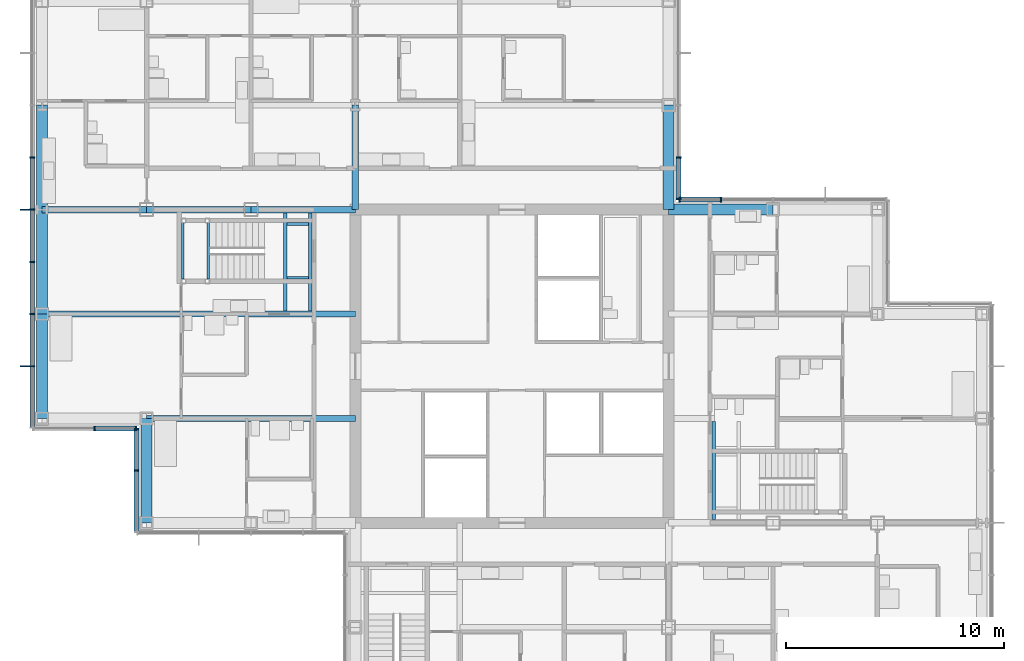
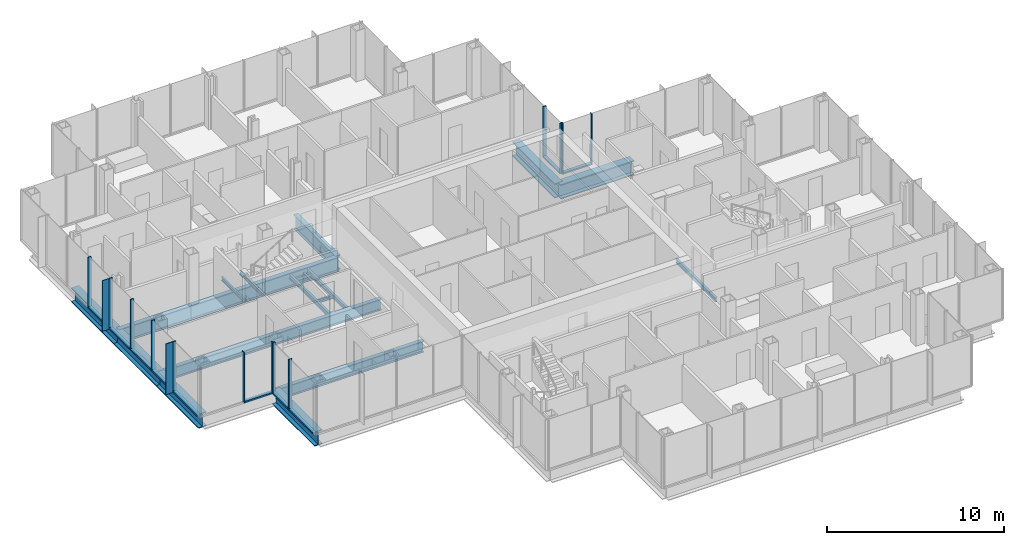
# One storey, part 7 of 20: 25 members, 19 beams, 5 elements without a shape of their own.
"""IFC4 building model written with IfcOpenShell, lengths in metres."""

import ifcopenshell
import ifcopenshell.guid

model = None  # the IFC model being written
_history = None  # IfcOwnerHistory: only IFC2X3 demands one
_inside = {}  # id of a spatial element -> (the spatial element, [elements in it])
_under = {}  # id of a project, library or spatial element -> (it, [spatial elements below it])
_declared = {}  # id of a project -> (the project, [libraries it declares])
_typed = {}  # id of a type object -> (the type object, [elements of that type])
_made_of = {}  # id of a material, layer set ... -> (it, [elements and type objects made of it])


def new_model(schema):
    """Start an empty IFC model of exactly this schema.

    Asked for "IFC4X3", IfcOpenShell would pick the latest addendum, in which some entities
    have other attributes; the version numbers below select the first issue.
    IFC2X3 requires an IfcOwnerHistory on every rooted entity: one is made here for all.
    """
    global model, _history
    if schema == "IFC4X3":
        model = ifcopenshell.file(schema_version=(4, 3, 0, 0))
    else:
        model = ifcopenshell.file(schema=schema)
    _inside.clear()
    _under.clear()
    _declared.clear()
    _typed.clear()
    _made_of.clear()
    _history = None
    if model.schema == "IFC2X3":
        org = make("IfcOrganization", Name="unknown")
        user = make(
            "IfcPersonAndOrganization",
            ThePerson=make("IfcPerson", FamilyName="unknown"),
            TheOrganization=org,
        )
        app = make(
            "IfcApplication",
            ApplicationDeveloper=org,
            Version="unknown",
            ApplicationFullName="unknown",
            ApplicationIdentifier="unknown",
        )
        _history = make(
            "IfcOwnerHistory",
            OwningUser=user,
            OwningApplication=app,
            ChangeAction="ADDED",
            CreationDate=0,
        )
    return model


def make(cls, **values):
    """One entity of the class cls with the attributes given. An attribute that is None is left unset."""
    return model.create_entity(
        cls, **{name: value for name, value in values.items() if value is not None}
    )


def rooted(cls, **values):
    """An entity with a GlobalId (a new one), such as an element, a storey or a relation."""
    return make(cls, GlobalId=ifcopenshell.guid.new(), OwnerHistory=_history, **values)


def si_unit(unit_type, name, prefix=None):
    """IfcSIUnit, for example si_unit("LENGTHUNIT", "METRE", prefix="MILLI")."""
    return make("IfcSIUnit", UnitType=unit_type, Prefix=prefix, Name=name)


def assignment(units):
    """IfcUnitAssignment: the units of a project."""
    return None if units is None else make("IfcUnitAssignment", Units=units)


def point(xyz):
    """IfcCartesianPoint."""
    return None if xyz is None else make("IfcCartesianPoint", Coordinates=xyz)


def direction(xyz):
    """IfcDirection."""
    return None if xyz is None else make("IfcDirection", DirectionRatios=xyz)


def frame(location, z_axis=None, x_axis=None):
    """IfcAxis2Placement3D, a coordinate frame: its origin and axes. An axis left out is left unset."""
    return make(
        "IfcAxis2Placement3D",
        Location=point(location),
        Axis=direction(z_axis),
        RefDirection=direction(x_axis),
    )


def frame_2d(location, x_axis=None):
    """IfcAxis2Placement2D, a coordinate frame in the plane: its origin and x axis."""
    return make(
        "IfcAxis2Placement2D", Location=point(location), RefDirection=direction(x_axis)
    )


def origin():
    """The frame at (0, 0, 0) with its axes left unset."""
    return frame((0.0, 0.0, 0.0))


def origin_2d():
    """The frame at (0, 0) in the plane with its x axis left unset."""
    return frame_2d((0.0, 0.0))


def place(relative_to, where):
    """IfcLocalPlacement: puts the frame where relative to a parent placement (None: the world)."""
    return make(
        "IfcLocalPlacement", PlacementRelTo=relative_to, RelativePlacement=where
    )


def context(
    kind, dimensions, precision=None, world=None, true_north=None, identifier=None
):
    """IfcGeometricRepresentationContext, for example the 3D "Model" context."""
    return make(
        "IfcGeometricRepresentationContext",
        ContextIdentifier=identifier,
        ContextType=kind,
        CoordinateSpaceDimension=dimensions,
        Precision=precision,
        WorldCoordinateSystem=world,
        TrueNorth=true_north,
    )


def subcontext(parent, identifier, kind, view, scale=None):
    """IfcGeometricRepresentationSubContext, for example "Body" below "Model"."""
    return make(
        "IfcGeometricRepresentationSubContext",
        ContextIdentifier=identifier,
        ContextType=kind,
        ParentContext=parent,
        TargetScale=scale,
        TargetView=view,
    )


def project(units=None, contexts=None):
    """IfcProject with its units and contexts."""
    return rooted(
        "IfcProject",
        Name="project",
        RepresentationContexts=contexts,
        UnitsInContext=assignment(units),
    )


def spatial(cls, under=None, at=None, **own):
    """A site, building, storey or space (cls), placed at a placement, below another one or the project."""
    s = rooted(cls, ObjectPlacement=at, **own)
    if under is not None:
        _under.setdefault(under.id(), (under, []))[1].append(s)
    return s


def profile(cls, at=None, kind="AREA", **sizes):
    """A parametric profile (cls). Its sizes go by their IFC names, for example OverallWidth=200.0."""
    return make(cls, ProfileType=kind, Position=at, **sizes)


def rectangle(**sizes):
    """IfcRectangleProfileDef."""
    return profile("IfcRectangleProfileDef", **sizes)


def i_section(**sizes):
    """IfcIShapeProfileDef."""
    return profile("IfcIShapeProfileDef", **sizes)


def extrude(swept, where, along, depth):
    """IfcExtrudedAreaSolid: the profile swept, set in the frame where, extruded along a direction by depth."""
    return make(
        "IfcExtrudedAreaSolid",
        SweptArea=swept,
        Position=where,
        ExtrudedDirection=direction(along),
        Depth=depth,
    )


def shape(context_of_items, identifier, shape_type, items):
    """IfcShapeRepresentation: the items that make up one representation, for example the "Body"."""
    return make(
        "IfcShapeRepresentation",
        ContextOfItems=context_of_items,
        RepresentationIdentifier=identifier,
        RepresentationType=shape_type,
        Items=items,
    )


def material(Name=None, Category=None):
    """IfcMaterial."""
    return make("IfcMaterial", Name=Name, Category=Category)


def material_profile(
    of_material, cross_section, Name=None, Category=None, Priority=None
):
    """IfcMaterialProfile: a cross section and its material."""
    return make(
        "IfcMaterialProfile",
        Name=Name,
        Material=of_material,
        Profile=cross_section,
        Priority=Priority,
        Category=Category,
    )


def profile_set(profiles, Name=None, composite=None):
    """IfcMaterialProfileSet."""
    return make(
        "IfcMaterialProfileSet",
        Name=Name,
        MaterialProfiles=profiles,
        CompositeProfile=composite,
    )


def made_of(thing, what):
    """Note that an element or type object is made of a material, layer set ...; save() writes the relation."""
    if what is not None:
        _made_of.setdefault(what.id(), (what, []))[1].append(thing)
    return thing


def type_object(cls, material=None, **own):
    """A type object (cls), such as IfcWallType, which elements share."""
    return made_of(rooted(cls, **own), material)


def element(
    cls,
    number,
    at=None,
    inside=None,
    cuts=None,
    type_object=None,
    material=None,
    context=None,
    identifier="Body",
    shape_type=None,
    held_by="IfcProductDefinitionShape",
    body=None,
    shapes=None,
    **own,
):
    """One element of the class cls, such as IfcWall. Its Tag is "e" and its number.

    at: its placement. inside: the storey or other place that contains it. cuts: it is an
    opening in that element (IfcRelVoidsElement). A single representation is given by context,
    identifier, shape_type and body (its items); several are given by shapes. held_by: the class
    of the entity that holds the representations. save() writes the other relations.
    """
    e = rooted(cls, Tag="e%d" % number, ObjectPlacement=at, **own)
    if body is not None:
        shapes = [shape(context, identifier, shape_type, body)]
    if shapes is not None:
        e.Representation = make(held_by, Representations=shapes)
    if inside is not None:
        _inside.setdefault(inside.id(), (inside, []))[1].append(e)
    if cuts is not None:
        rooted(
            "IfcRelVoidsElement", RelatingBuildingElement=cuts, RelatedOpeningElement=e
        )
    if type_object is not None:
        _typed.setdefault(type_object.id(), (type_object, []))[1].append(e)
    return made_of(e, material)


def aggregate(whole, parts):
    """IfcRelAggregates: a whole, such as a stair, and the parts it consists of."""
    return rooted("IfcRelAggregates", RelatingObject=whole, RelatedObjects=parts)


def save(model, path):
    """Write the relations noted so far, then the file.

    IfcRelAggregates (storeys below a building ...), IfcRelContainedInSpatialStructure (elements
    in a storey), IfcRelDefinesByType, IfcRelAssociatesMaterial and IfcRelDeclares: one each for
    every whole, place, type object, material and project.
    """
    for whole, parts in _under.values():
        aggregate(whole, parts)
    for where, things in _inside.values():
        rooted(
            "IfcRelContainedInSpatialStructure",
            RelatedElements=things,
            RelatingStructure=where,
        )
    for kind, things in _typed.values():
        rooted("IfcRelDefinesByType", RelatedObjects=things, RelatingType=kind)
    for what, things in _made_of.values():
        rooted("IfcRelAssociatesMaterial", RelatedObjects=things, RelatingMaterial=what)
    for by, libraries in _declared.values():
        rooted("IfcRelDeclares", RelatingContext=by, RelatedDefinitions=libraries)
    model.write(path)


model = new_model("IFC4")

# Units and contexts
model_context = context("Model", 3, precision=1e-05, world=origin(), true_north=direction((0.0, 1.0)))
body_context = subcontext(model_context, "Body", "Model", "MODEL_VIEW")
ifc_project = project(units=[si_unit("LENGTHUNIT", "METRE"), si_unit("AREAUNIT", "SQUARE_METRE"), si_unit("VOLUMEUNIT", "CUBIC_METRE"), si_unit("PLANEANGLEUNIT", "RADIAN"), si_unit("MASSUNIT", "GRAM", prefix="KILO")], contexts=[model_context])

# Site, building, storey
site_placement = place(None, origin())
site = spatial("IfcSite", under=ifc_project, at=site_placement, CompositionType="ELEMENT")
building_placement = place(site_placement, origin())
building = spatial("IfcBuilding", under=site, at=building_placement, Name="Kvirike Care Tower", CompositionType="ELEMENT")
storey_placement = place(building_placement, frame((0.0, 0.0, 112.0)))
storey = spatial("IfcBuildingStorey", under=building, at=storey_placement, Name="L30", CompositionType="ELEMENT", Elevation=112.0)

# Curtain wall, members
ifc_material_1 = material(Name="Anodised aluminium stick system", Category="aluminium")
curtain_wall_type = type_object("IfcCurtainWallType", Name="CW-B STICK CURTAIN WALL", PredefinedType="NOTDEFINED", material=ifc_material_1)
curtain_wall_1_placement = place(storey_placement, origin())
curtain_wall_1 = element("IfcCurtainWall", 1, at=curtain_wall_1_placement, inside=storey, type_object=curtain_wall_type, Name="Curtain wall L30 face 11", PredefinedType="NOTDEFINED")
ifc_material_2 = material(Name="Bronze anodised aluminium fin", Category="aluminium")
ifc_material_profile_1 = material_profile(ifc_material_2, rectangle(XDim=0.050048828125, YDim=0.449951171875, at=origin_2d()), Name="BRONZE FIN 450")
ifc_profile_set_1 = profile_set([ifc_material_profile_1], Name="Bronze anodised aluminium fin")
member_type_1 = type_object("IfcMemberType", Name="BRONZE FIN 450", PredefinedType="USERDEFINED", material=ifc_profile_set_1)
member_1_placement = place(storey_placement, frame((-0.794921875, 43.199951171875, 0.0), z_axis=(0.0, 0.0, 1.0), x_axis=(0.0, -1.0, 0.0)))
member_1 = element("IfcMember", 2, at=member_1_placement, type_object=member_type_1, Name="Bronze fin L30 face 11.5", ObjectType="FIN", PredefinedType="USERDEFINED", context=body_context, shape_type="SweptSolid", body=[
    extrude(rectangle(XDim=0.050048828125, YDim=0.449951171875, at=origin_2d()), origin(), (0.0, 0.0, 1.0), 3.5),
])
member_2_placement = place(storey_placement, frame((-0.794921875, 36.0, 0.0), z_axis=(0.0, 0.0, 1.0), x_axis=(0.0, -1.0, 0.0)))
member_2 = element("IfcMember", 3, at=member_2_placement, type_object=member_type_1, Name="Bronze fin L30 face 11.8", ObjectType="FIN", PredefinedType="USERDEFINED", context=body_context, shape_type="SweptSolid", body=[
    extrude(rectangle(XDim=0.050048828125, YDim=0.449951171875, at=origin_2d()), origin(), (0.0, 0.0, 1.0), 3.5),
])

curtain_wall_2_placement = place(storey_placement, origin())
curtain_wall_2 = element("IfcCurtainWall", 4, at=curtain_wall_2_placement, inside=storey, type_object=curtain_wall_type, Name="Curtain wall L30 face 4", PredefinedType="NOTDEFINED")
ifc_material_3 = material(Name="Bronze anodised aluminium mullion", Category="aluminium")
ifc_material_profile_2 = material_profile(ifc_material_3, rectangle(XDim=0.06494140625, YDim=0.219970703125, at=origin_2d()), Name="CW-B MULLION 65x220")
ifc_profile_set_2 = profile_set([ifc_material_profile_2], Name="Bronze anodised aluminium mullion")
member_type_2 = type_object("IfcMemberType", Name="CW-B MULLION 65x220", PredefinedType="MULLION", material=ifc_profile_set_2)
member_3_placement = place(storey_placement, frame((31.199951171875, 43.659912109375, 0.0), z_axis=(0.0, 0.0, 1.0), x_axis=(-1.0, 0.0, 0.0)))
member_3 = element("IfcMember", 5, at=member_3_placement, type_object=member_type_2, Name="CW-B mullion L30 face 4.4", PredefinedType="MULLION", context=body_context, shape_type="SweptSolid", body=[
    extrude(rectangle(XDim=0.06494140625, YDim=0.219970703125, at=origin_2d()), origin(), (0.0, 0.0, 1.0), 3.5),
])
member_4_placement = place(storey_placement, frame((29.29248046875, 43.659912109375, 0.0), z_axis=(0.0, 0.0, 1.0), x_axis=(-1.0, 0.0, 0.0)))
member_4 = element("IfcMember", 6, at=member_4_placement, type_object=member_type_2, Name="CW-B mullion L30 face 4.5", PredefinedType="MULLION", context=body_context, shape_type="SweptSolid", body=[
    extrude(rectangle(XDim=0.06494140625, YDim=0.219970703125, at=origin_2d()), origin(), (0.0, 0.0, 1.0), 3.5),
])

curtain_wall_3_placement = place(storey_placement, origin())
curtain_wall_3 = element("IfcCurtainWall", 7, at=curtain_wall_3_placement, inside=storey, type_object=curtain_wall_type, Name="Curtain wall L30 face 5", PredefinedType="NOTDEFINED")
member_5_placement = place(storey_placement, frame((29.260009765625, 43.6923828125, 0.0), z_axis=(0.0, 0.0, 1.0), x_axis=(0.0, 1.0, 0.0)))
member_5 = element("IfcMember", 8, at=member_5_placement, type_object=member_type_2, Name="CW-B mullion L30 face 5.1", PredefinedType="MULLION", context=body_context, shape_type="SweptSolid", body=[
    extrude(rectangle(XDim=0.06494140625, YDim=0.219970703125, at=origin_2d()), origin(), (0.0, 0.0, 1.0), 3.5),
])
member_6_placement = place(storey_placement, frame((29.260009765625, 45.60009765625, 0.0), z_axis=(0.0, 0.0, 1.0), x_axis=(0.0, 1.0, 0.0)))
member_6 = element("IfcMember", 9, at=member_6_placement, type_object=member_type_2, Name="CW-B mullion L30 face 5.2", PredefinedType="MULLION", context=body_context, shape_type="SweptSolid", body=[
    extrude(rectangle(XDim=0.06494140625, YDim=0.219970703125, at=origin_2d()), origin(), (0.0, 0.0, 1.0), 3.5),
])

# Member
member_7_placement = place(storey_placement, frame((-0.4599609375, 45.60009765625, 0.0), z_axis=(0.0, 0.0, 1.0), x_axis=(0.0, -1.0, 0.0)))
member_7 = element("IfcMember", 10, at=member_7_placement, type_object=member_type_2, Name="CW-B mullion L30 face 11.4", PredefinedType="MULLION", context=body_context, shape_type="SweptSolid", body=[
    extrude(rectangle(XDim=0.06494140625, YDim=0.219970703125, at=origin_2d()), origin(), (0.0, 0.0, 1.0), 3.5),
])

member_8_placement = place(storey_placement, frame((-0.4599609375, 43.199951171875, 0.0), z_axis=(0.0, 0.0, 1.0), x_axis=(0.0, -1.0, 0.0)))
member_8 = element("IfcMember", 11, at=member_8_placement, type_object=member_type_2, Name="CW-B mullion L30 face 11.5", PredefinedType="MULLION", context=body_context, shape_type="SweptSolid", body=[
    extrude(rectangle(XDim=0.06494140625, YDim=0.219970703125, at=origin_2d()), origin(), (0.0, 0.0, 1.0), 3.5),
])

member_9_placement = place(storey_placement, frame((-0.4599609375, 40.800048828125, 0.0), z_axis=(0.0, 0.0, 1.0), x_axis=(0.0, -1.0, 0.0)))
member_9 = element("IfcMember", 12, at=member_9_placement, type_object=member_type_2, Name="CW-B mullion L30 face 11.6", PredefinedType="MULLION", context=body_context, shape_type="SweptSolid", body=[
    extrude(rectangle(XDim=0.06494140625, YDim=0.219970703125, at=origin_2d()), origin(), (0.0, 0.0, 1.0), 3.5),
])

member_10_placement = place(storey_placement, frame((-0.4599609375, 38.39990234375, 0.0), z_axis=(0.0, 0.0, 1.0), x_axis=(0.0, -1.0, 0.0)))
member_10 = element("IfcMember", 13, at=member_10_placement, type_object=member_type_2, Name="CW-B mullion L30 face 11.7", PredefinedType="MULLION", context=body_context, shape_type="SweptSolid", body=[
    extrude(rectangle(XDim=0.06494140625, YDim=0.219970703125, at=origin_2d()), origin(), (0.0, 0.0, 1.0), 3.5),
])

member_11_placement = place(storey_placement, frame((-0.4599609375, 36.0, 0.0), z_axis=(0.0, 0.0, 1.0), x_axis=(0.0, -1.0, 0.0)))
member_11 = element("IfcMember", 14, at=member_11_placement, type_object=member_type_2, Name="CW-B mullion L30 face 11.8", PredefinedType="MULLION", context=body_context, shape_type="SweptSolid", body=[
    extrude(rectangle(XDim=0.06494140625, YDim=0.219970703125, at=origin_2d()), origin(), (0.0, 0.0, 1.0), 3.5),
])

# Curtain wall, members
curtain_wall_4_placement = place(storey_placement, origin())
curtain_wall_4 = element("IfcCurtainWall", 15, at=curtain_wall_4_placement, inside=storey, type_object=curtain_wall_type, Name="Curtain wall L30 face 12", PredefinedType="NOTDEFINED")
member_12_placement = place(storey_placement, frame((2.39990234375, 33.139892578125, 0.0), z_axis=(0.0, 0.0, 1.0), x_axis=(1.0, 0.0, 0.0)))
member_12 = element("IfcMember", 16, at=member_12_placement, type_object=member_type_2, Name="CW-B mullion L30 face 12.2", PredefinedType="MULLION", context=body_context, shape_type="SweptSolid", body=[
    extrude(rectangle(XDim=0.06494140625, YDim=0.219970703125, at=origin_2d()), origin(), (0.0, 0.0, 1.0), 3.5),
])
member_13_placement = place(storey_placement, frame((4.3076171875, 33.139892578125, 0.0), z_axis=(0.0, 0.0, 1.0), x_axis=(1.0, 0.0, 0.0)))
member_13 = element("IfcMember", 17, at=member_13_placement, type_object=member_type_2, Name="CW-B mullion L30 face 12.3", PredefinedType="MULLION", context=body_context, shape_type="SweptSolid", body=[
    extrude(rectangle(XDim=0.06494140625, YDim=0.219970703125, at=origin_2d()), origin(), (0.0, 0.0, 1.0), 3.5),
])

curtain_wall_5_placement = place(storey_placement, origin())
curtain_wall_5 = element("IfcCurtainWall", 18, at=curtain_wall_5_placement, inside=storey, type_object=curtain_wall_type, Name="Curtain wall L30 face 13", PredefinedType="NOTDEFINED")
member_14_placement = place(storey_placement, frame((4.340087890625, 33.107421875, 0.0), z_axis=(0.0, 0.0, 1.0), x_axis=(0.0, -1.0, 0.0)))
member_14 = element("IfcMember", 19, at=member_14_placement, type_object=member_type_2, Name="CW-B mullion L30 face 13.1", PredefinedType="MULLION", context=body_context, shape_type="SweptSolid", body=[
    extrude(rectangle(XDim=0.06494140625, YDim=0.219970703125, at=origin_2d()), origin(), (0.0, 0.0, 1.0), 3.5),
])
member_15_placement = place(storey_placement, frame((4.340087890625, 31.199951171875, 0.0), z_axis=(0.0, 0.0, 1.0), x_axis=(0.0, -1.0, 0.0)))
member_15 = element("IfcMember", 20, at=member_15_placement, type_object=member_type_2, Name="CW-B mullion L30 face 13.2", PredefinedType="MULLION", context=body_context, shape_type="SweptSolid", body=[
    extrude(rectangle(XDim=0.06494140625, YDim=0.219970703125, at=origin_2d()), origin(), (0.0, 0.0, 1.0), 3.5),
])

# Member
ifc_material_4 = material(Name="Bronze anodised aluminium transom", Category="aluminium")
ifc_material_profile_3 = material_profile(ifc_material_4, rectangle(XDim=0.219970703125, YDim=0.10009765625, at=origin_2d()), Name="CW-B TRANSOM 220x100")
ifc_profile_set_3 = profile_set([ifc_material_profile_3], Name="Bronze anodised aluminium transom")
member_type_3 = type_object("IfcMemberType", Name="CW-B TRANSOM 220x100", PredefinedType="USERDEFINED", material=ifc_profile_set_3)
member_16_placement = place(storey_placement, frame((31.16748046875, 43.659912109375, 0.050048828125), z_axis=(-1.0, 0.0, 0.0), x_axis=(0.0, -1.0, 0.0)))
member_16 = element("IfcMember", 21, at=member_16_placement, type_object=member_type_3, Name="CW-B sill transom L30 face 4.4", ObjectType="TRANSOM", PredefinedType="USERDEFINED", context=body_context, shape_type="SweptSolid", body=[
    extrude(rectangle(XDim=0.219970703125, YDim=0.10009765625, at=origin_2d()), origin(), (0.0, 0.0, 1.0), 1.842529296875),
])

aggregate(curtain_wall_2, [member_3, member_4, member_16])

member_17_placement = place(storey_placement, frame((29.260009765625, 43.72509765625, 0.050048828125), z_axis=(0.0, 1.0, 0.0), x_axis=(-1.0, 0.0, 0.0)))
member_17 = element("IfcMember", 22, at=member_17_placement, type_object=member_type_3, Name="CW-B sill transom L30 face 5.1", ObjectType="TRANSOM", PredefinedType="USERDEFINED", context=body_context, shape_type="SweptSolid", body=[
    extrude(rectangle(XDim=0.219970703125, YDim=0.10009765625, at=origin_2d()), origin(), (0.0, 0.0, 1.0), 1.84228515625),
])

aggregate(curtain_wall_3, [member_5, member_6, member_17])

member_18_placement = place(storey_placement, frame((-0.4599609375, 45.5673828125, 0.050048828125), z_axis=(0.0, -1.0, 0.0), x_axis=(1.0, 0.0, 0.0)))
member_18 = element("IfcMember", 23, at=member_18_placement, type_object=member_type_3, Name="CW-B sill transom L30 face 11.4", ObjectType="TRANSOM", PredefinedType="USERDEFINED", context=body_context, shape_type="SweptSolid", body=[
    extrude(rectangle(XDim=0.219970703125, YDim=0.10009765625, at=origin_2d()), origin(), (0.0, 0.0, 1.0), 2.3349609375),
])

member_19_placement = place(storey_placement, frame((-0.4599609375, 43.16748046875, 0.050048828125), z_axis=(0.0, -1.0, 0.0), x_axis=(1.0, 0.0, 0.0)))
member_19 = element("IfcMember", 24, at=member_19_placement, type_object=member_type_3, Name="CW-B sill transom L30 face 11.5", ObjectType="TRANSOM", PredefinedType="USERDEFINED", context=body_context, shape_type="SweptSolid", body=[
    extrude(rectangle(XDim=0.219970703125, YDim=0.10009765625, at=origin_2d()), origin(), (0.0, 0.0, 1.0), 2.3349609375),
])

member_20_placement = place(storey_placement, frame((-0.4599609375, 40.767578125, 0.050048828125), z_axis=(0.0, -1.0, 0.0), x_axis=(1.0, 0.0, 0.0)))
member_20 = element("IfcMember", 25, at=member_20_placement, type_object=member_type_3, Name="CW-B sill transom L30 face 11.6", ObjectType="TRANSOM", PredefinedType="USERDEFINED", context=body_context, shape_type="SweptSolid", body=[
    extrude(rectangle(XDim=0.219970703125, YDim=0.10009765625, at=origin_2d()), origin(), (0.0, 0.0, 1.0), 2.3349609375),
])

member_21_placement = place(storey_placement, frame((-0.4599609375, 38.367431640625, 0.050048828125), z_axis=(0.0, -1.0, 0.0), x_axis=(1.0, 0.0, 0.0)))
member_21 = element("IfcMember", 26, at=member_21_placement, type_object=member_type_3, Name="CW-B sill transom L30 face 11.7", ObjectType="TRANSOM", PredefinedType="USERDEFINED", context=body_context, shape_type="SweptSolid", body=[
    extrude(rectangle(XDim=0.219970703125, YDim=0.10009765625, at=origin_2d()), origin(), (0.0, 0.0, 1.0), 2.3349609375),
])

member_22_placement = place(storey_placement, frame((-0.4599609375, 35.967529296875, 0.050048828125), z_axis=(0.0, -1.0, 0.0), x_axis=(1.0, 0.0, 0.0)))
member_22 = element("IfcMember", 27, at=member_22_placement, type_object=member_type_3, Name="CW-B sill transom L30 face 11.8", ObjectType="TRANSOM", PredefinedType="USERDEFINED", context=body_context, shape_type="SweptSolid", body=[
    extrude(rectangle(XDim=0.219970703125, YDim=0.10009765625, at=origin_2d()), origin(), (0.0, 0.0, 1.0), 2.762451171875),
])

aggregate(curtain_wall_1, [member_7, member_8, member_1, member_9, member_10, member_11, member_2, member_18, member_19, member_20, member_21, member_22])

member_23_placement = place(storey_placement, frame((2.4326171875, 33.139892578125, 0.050048828125), z_axis=(1.0, 0.0, 0.0), x_axis=(0.0, 1.0, 0.0)))
member_23 = element("IfcMember", 28, at=member_23_placement, type_object=member_type_3, Name="CW-B sill transom L30 face 12.2", ObjectType="TRANSOM", PredefinedType="USERDEFINED", context=body_context, shape_type="SweptSolid", body=[
    extrude(rectangle(XDim=0.219970703125, YDim=0.10009765625, at=origin_2d()), origin(), (0.0, 0.0, 1.0), 1.84228515625),
])

aggregate(curtain_wall_4, [member_12, member_13, member_23])

member_24_placement = place(storey_placement, frame((4.340087890625, 33.074951171875, 0.050048828125), z_axis=(0.0, -1.0, 0.0), x_axis=(1.0, 0.0, 0.0)))
member_24 = element("IfcMember", 29, at=member_24_placement, type_object=member_type_3, Name="CW-B sill transom L30 face 13.1", ObjectType="TRANSOM", PredefinedType="USERDEFINED", context=body_context, shape_type="SweptSolid", body=[
    extrude(rectangle(XDim=0.219970703125, YDim=0.10009765625, at=origin_2d()), origin(), (0.0, 0.0, 1.0), 1.842529296875),
])

member_25_placement = place(storey_placement, frame((4.340087890625, 31.16748046875, 0.050048828125), z_axis=(0.0, -1.0, 0.0), x_axis=(1.0, 0.0, 0.0)))
member_25 = element("IfcMember", 30, at=member_25_placement, type_object=member_type_3, Name="CW-B sill transom L30 face 13.2", ObjectType="TRANSOM", PredefinedType="USERDEFINED", context=body_context, shape_type="SweptSolid", body=[
    extrude(rectangle(XDim=0.219970703125, YDim=0.10009765625, at=origin_2d()), origin(), (0.0, 0.0, 1.0), 2.762451171875),
])

aggregate(curtain_wall_5, [member_14, member_15, member_24, member_25])

# Beams
ifc_material_5 = material(Name="Steel S355", Category="steel")
ifc_material_profile_4 = material_profile(ifc_material_5, i_section(OverallWidth=0.26806640625, OverallDepth=0.77001953125, WebThickness=0.015625, FlangeThickness=0.025390625, FilletRadius=0.01708984375, at=origin_2d()), Name="IPE 750x196")
ifc_profile_set_4 = profile_set([ifc_material_profile_4], Name="Steel S355")
beam_type_1 = type_object("IfcBeamType", Name="FLOOR BEAM IPE 750x196", PredefinedType="BEAM", material=ifc_profile_set_4)
beam_1_placement = place(storey_placement, frame((4.800048828125, 33.60009765625, -0.554931640625), z_axis=(1.0, 0.0, 0.0), x_axis=(0.0, 1.0, 0.0)))
element("IfcBeam", 31, at=beam_1_placement, inside=storey, type_object=beam_type_1, Name="Floor Beam H4-H6 L30", PredefinedType="BEAM", context=body_context, shape_type="SweptSolid", body=[
    extrude(i_section(OverallWidth=0.26806640625, OverallDepth=0.77001953125, WebThickness=0.015625, FlangeThickness=0.025390625, FilletRadius=0.01708984375, at=origin_2d()), origin(), (0.0, 0.0, 1.0), 9.599853515625),
])
beam_2_placement = place(storey_placement, frame((0.0, 38.39990234375, -0.554931640625), z_axis=(1.0, 0.0, 0.0), x_axis=(0.0, 1.0, 0.0)))
element("IfcBeam", 32, at=beam_2_placement, inside=storey, type_object=beam_type_1, Name="Floor Beam J3-J6 L30", PredefinedType="BEAM", context=body_context, shape_type="SweptSolid", body=[
    extrude(i_section(OverallWidth=0.26806640625, OverallDepth=0.77001953125, WebThickness=0.015625, FlangeThickness=0.025390625, FilletRadius=0.01708984375, at=origin_2d()), origin(), (0.0, 0.0, 1.0), 14.39990234375),
])
ifc_material_6 = material(Name="Steel S355", Category="steel")
ifc_material_profile_5 = material_profile(ifc_material_6, i_section(OverallWidth=0.300048828125, OverallDepth=1.0, WebThickness=0.01904296875, FlangeThickness=0.035888671875, FilletRadius=0.030029296875, at=origin_2d()), Name="HE 1000 B")
ifc_profile_set_5 = profile_set([ifc_material_profile_5], Name="Steel S355")
beam_type_2 = type_object("IfcBeamType", Name="FRAME BEAM HE 1000 B", PredefinedType="BEAM", material=ifc_profile_set_5)
for number, where, z_axis, x_axis, name in (
    (33, (0.0, 43.199951171875, -0.669921875), (1.0, 0.0, 0.0), (0.0, 1.0, 0.0), "Frame Beam K3-K4 L30"),
    (34, (4.800048828125, 43.199951171875, -0.669921875), (1.0, 0.0, 0.0), (0.0, 1.0, 0.0), "Frame Beam K4-K5 L30"),
):
    element("IfcBeam", number, at=place(storey_placement, frame(where, z_axis=z_axis, x_axis=x_axis)), inside=storey, type_object=beam_type_2, Name=name, PredefinedType="BEAM", context=body_context, shape_type="SweptSolid", body=[
        extrude(i_section(OverallWidth=0.300048828125, OverallDepth=1.0, WebThickness=0.01904296875, FlangeThickness=0.035888671875, FilletRadius=0.030029296875, at=origin_2d()), origin(), (0.0, 0.0, 1.0), 4.800048828125),
    ])
beam_3_placement = place(storey_placement, frame((9.60009765625, 43.199951171875, -0.669921875), z_axis=(1.0, 0.0, 0.0), x_axis=(0.0, 1.0, 0.0)))
element("IfcBeam", 35, at=beam_3_placement, inside=storey, type_object=beam_type_2, Name="Frame Beam K5-K6 L30", PredefinedType="BEAM", context=body_context, shape_type="SweptSolid", body=[
    extrude(i_section(OverallWidth=0.300048828125, OverallDepth=1.0, WebThickness=0.01904296875, FlangeThickness=0.035888671875, FilletRadius=0.030029296875, at=origin_2d()), origin(), (0.0, 0.0, 1.0), 4.7998046875),
])
beam_4_placement = place(storey_placement, frame((14.39990234375, 43.199951171875, -0.669921875), z_axis=(0.0, 1.0, 0.0), x_axis=(-1.0, 0.0, 0.0)))
element("IfcBeam", 36, at=beam_4_placement, inside=storey, type_object=beam_type_2, Name="Frame Beam K6-L6 L30", PredefinedType="BEAM", context=body_context, shape_type="SweptSolid", body=[
    extrude(i_section(OverallWidth=0.300048828125, OverallDepth=1.0, WebThickness=0.01904296875, FlangeThickness=0.035888671875, FilletRadius=0.030029296875, at=origin_2d()), origin(), (0.0, 0.0, 1.0), 4.800048828125),
])
ifc_material_7 = material(Name="Steel S355", Category="steel")
ifc_material_profile_6 = material_profile(ifc_material_7, i_section(OverallWidth=0.5, OverallDepth=1.0, WebThickness=0.030029296875, FlangeThickness=0.06005859375, at=origin_2d()), Name="PG 1000x500x30x60")
ifc_profile_set_6 = profile_set([ifc_material_profile_6], Name="Steel S355")
beam_type_3 = type_object("IfcBeamType", Name="SPANDREL PG 1000x500x30x60", PredefinedType="SPANDREL", material=ifc_profile_set_6)
beam_5_placement = place(storey_placement, frame((28.800048828125, 43.199951171875, -0.669921875), z_axis=(1.0, 0.0, 0.0), x_axis=(0.0, 1.0, 0.0)))
element("IfcBeam", 37, at=beam_5_placement, inside=storey, type_object=beam_type_3, Name="Spandrel K9-K10 L30", PredefinedType="SPANDREL", context=body_context, shape_type="SweptSolid", body=[
    extrude(i_section(OverallWidth=0.5, OverallDepth=1.0, WebThickness=0.030029296875, FlangeThickness=0.06005859375, at=origin_2d()), origin(), (0.0, 0.0, 1.0), 4.800048828125),
])
beam_6_placement = place(storey_placement, frame((0.0, 33.60009765625, -0.669921875), z_axis=(0.0, 1.0, 0.0), x_axis=(-1.0, 0.0, 0.0)))
element("IfcBeam", 38, at=beam_6_placement, inside=storey, type_object=beam_type_3, Name="Spandrel H3-J3 L30", PredefinedType="SPANDREL", context=body_context, shape_type="SweptSolid", body=[
    extrude(i_section(OverallWidth=0.5, OverallDepth=1.0, WebThickness=0.030029296875, FlangeThickness=0.06005859375, at=origin_2d()), origin(), (0.0, 0.0, 1.0), 4.7998046875),
])
for number, where, z_axis, x_axis, name in (
    (39, (0.0, 38.39990234375, -0.669921875), (0.0, 1.0, 0.0), (-1.0, 0.0, 0.0), "Spandrel J3-K3 L30"),
    (40, (0.0, 43.199951171875, -0.669921875), (0.0, 1.0, 0.0), (-1.0, 0.0, 0.0), "Spandrel K3-L3 L30"),
    (41, (4.800048828125, 28.800048828125, -0.669921875), (0.0, 1.0, 0.0), (-1.0, 0.0, 0.0), "Spandrel G4-H4 L30"),
    (42, (28.800048828125, 43.199951171875, -0.669921875), (0.0, 1.0, 0.0), (-1.0, 0.0, 0.0), "Spandrel K9-L9 L30"),
):
    element("IfcBeam", number, at=place(storey_placement, frame(where, z_axis=z_axis, x_axis=x_axis)), inside=storey, type_object=beam_type_3, Name=name, PredefinedType="SPANDREL", context=body_context, shape_type="SweptSolid", body=[
        extrude(i_section(OverallWidth=0.5, OverallDepth=1.0, WebThickness=0.030029296875, FlangeThickness=0.06005859375, at=origin_2d()), origin(), (0.0, 0.0, 1.0), 4.800048828125),
    ])
ifc_material_8 = material(Name="Steel S355", Category="steel")
ifc_material_profile_7 = material_profile(ifc_material_8, i_section(OverallWidth=0.1201171875, OverallDepth=0.239990234375, WebThickness=0.006103515625, FlangeThickness=0.009765625, FilletRadius=0.014892578125, at=origin_2d()), Name="IPE 240")
ifc_profile_set_7 = profile_set([ifc_material_profile_7], Name="Steel S355")
beam_type_4 = type_object("IfcBeamType", Name="STAIR LANDING BEAM IPE 240", PredefinedType="BEAM", material=ifc_profile_set_7)
for number, where, z_axis, x_axis, name in (
    (43, (6.4599609375, 42.60009765625, 1.429931640625), (0.0, -1.0, 0.0), (1.0, 0.0, 0.0), "Stair 1 landing beam back L30"),
    (44, (7.639892578125, 42.60009765625, 1.429931640625), (0.0, -1.0, 0.0), (1.0, 0.0, 0.0), "Stair 1 landing beam front L30"),
):
    element("IfcBeam", number, at=place(storey_placement, frame(where, z_axis=z_axis, x_axis=x_axis)), inside=storey, type_object=beam_type_4, Name=name, PredefinedType="BEAM", context=body_context, shape_type="SweptSolid", body=[
        extrude(i_section(OverallWidth=0.1201171875, OverallDepth=0.239990234375, WebThickness=0.006103515625, FlangeThickness=0.009765625, FilletRadius=0.014892578125, at=origin_2d()), origin(), (0.0, 0.0, 1.0), 2.60009765625),
    ])
for number, where, z_axis, x_axis, name in (
    (45, (11.25, 42.5400390625, -0.320068359375), (1.0, 0.0, 0.0), (0.0, 1.0, 0.0), "Stair 1 landing edge beam 1 L30"),
    (46, (11.25, 40.06005859375, -0.320068359375), (1.0, 0.0, 0.0), (0.0, 1.0, 0.0), "Stair 1 landing edge beam 2 L30"),
):
    element("IfcBeam", number, at=place(storey_placement, frame(where, z_axis=z_axis, x_axis=x_axis)), inside=storey, type_object=beam_type_4, Name=name, PredefinedType="BEAM", context=body_context, shape_type="SweptSolid", body=[
        extrude(i_section(OverallWidth=0.1201171875, OverallDepth=0.239990234375, WebThickness=0.006103515625, FlangeThickness=0.009765625, FilletRadius=0.014892578125, at=origin_2d()), origin(), (0.0, 0.0, 1.0), 1.0),
    ])
ifc_material_9 = material(Name="Steel S355", Category="steel")
ifc_material_profile_8 = material_profile(ifc_material_9, i_section(OverallWidth=0.14990234375, OverallDepth=0.300048828125, WebThickness=0.007080078125, FlangeThickness=0.0107421875, FilletRadius=0.014892578125, at=origin_2d()), Name="IPE 300")
ifc_profile_set_8 = profile_set([ifc_material_profile_8], Name="Steel S355")
beam_type_5 = type_object("IfcBeamType", Name="STAIR TRIMMER IPE 300", PredefinedType="BEAM", material=ifc_profile_set_8)
for number, where, z_axis, x_axis, name in (
    (47, (11.175048828125, 43.050048828125, -0.35009765625), (0.0, -1.0, 0.0), (1.0, 0.0, 0.0), "Stair 1 trimmer 1 L30"),
    (48, (12.324951171875, 43.050048828125, -0.35009765625), (0.0, -1.0, 0.0), (1.0, 0.0, 0.0), "Stair 1 trimmer 2 L30"),
    (49, (30.875, 28.949951171875, -0.35009765625), (0.0, 1.0, 0.0), (-1.0, 0.0, 0.0), "Stair 2 trimmer 2 L30"),
):
    element("IfcBeam", number, at=place(storey_placement, frame(where, z_axis=z_axis, x_axis=x_axis)), inside=storey, type_object=beam_type_5, Name=name, PredefinedType="BEAM", context=body_context, shape_type="SweptSolid", body=[
        extrude(i_section(OverallWidth=0.14990234375, OverallDepth=0.300048828125, WebThickness=0.007080078125, FlangeThickness=0.0107421875, FilletRadius=0.014892578125, at=origin_2d()), origin(), (0.0, 0.0, 1.0), 4.51611328125),
    ])

save(model, "model.ifc")
